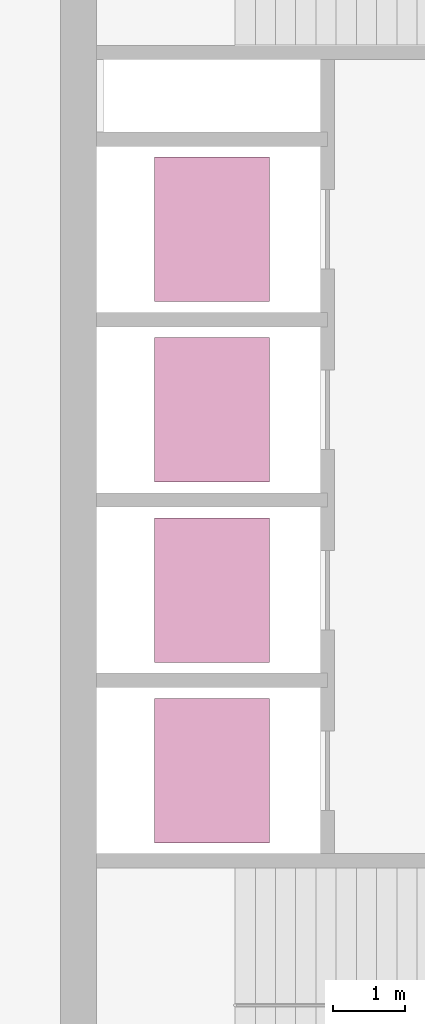
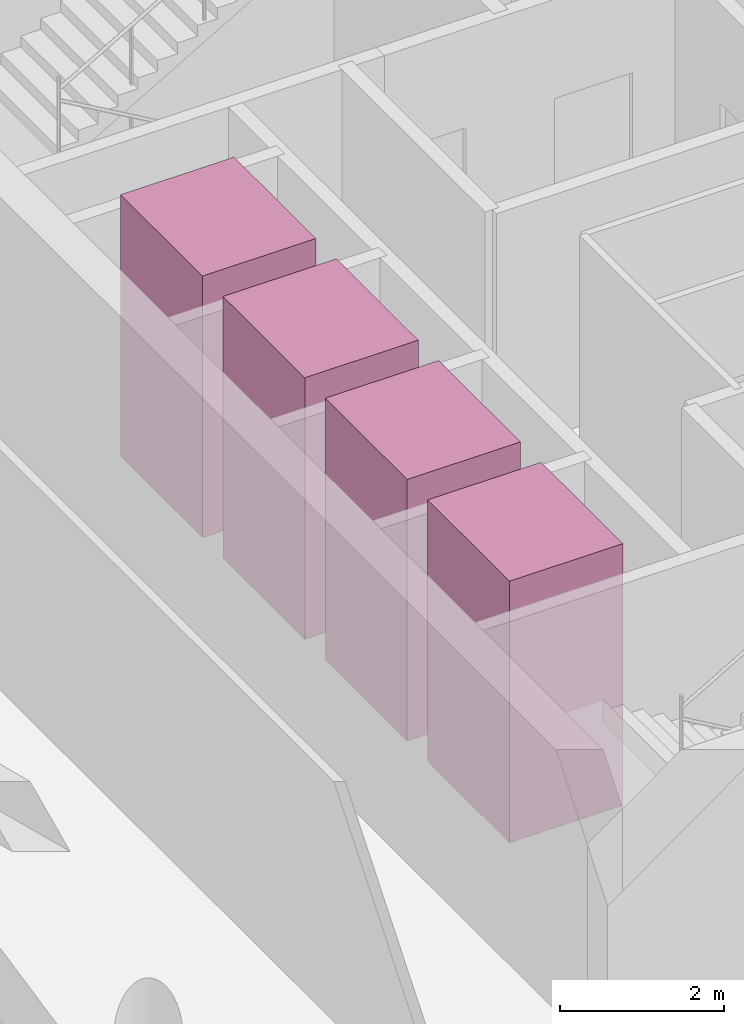
# One storey, part 8 of 8: 4 transport elements.
"""IFC4 building model written with IfcOpenShell, lengths in metres."""

from ifc_helpers import new_model, si_unit, direction, frame, origin, origin_2d, place, context, subcontext, project, spatial, rectangle, extrude, material, type_object, element, save


model = new_model("IFC4")

# Units and contexts
model_context = context("Model", 3, precision=1e-05, world=origin(), true_north=direction((0.0, 1.0)))
body_context = subcontext(model_context, "Body", "Model", "MODEL_VIEW")
ifc_project = project(units=[si_unit("LENGTHUNIT", "METRE"), si_unit("AREAUNIT", "SQUARE_METRE"), si_unit("VOLUMEUNIT", "CUBIC_METRE"), si_unit("PLANEANGLEUNIT", "RADIAN"), si_unit("MASSUNIT", "GRAM", prefix="KILO")], contexts=[model_context])

# Site, building, storey
site_placement = place(None, origin())
site = spatial("IfcSite", under=ifc_project, at=site_placement, CompositionType="ELEMENT")
building_placement = place(site_placement, origin())
building = spatial("IfcBuilding", under=site, at=building_placement, Name="Qaws Garden Tower", CompositionType="ELEMENT")
storey_placement = place(building_placement, frame((0.0, 0.0, 333.300048828125)))
storey = spatial("IfcBuildingStorey", under=building, at=storey_placement, Name="L81", CompositionType="ELEMENT", Elevation=333.300048828125)

# Transport elements
ifc_material = material(Name="Stainless steel 316", Category="steel")
transport_element_type = type_object("IfcTransportElementType", Name="Passenger lift car 2000x1600 1800 kg", PredefinedType="ELEVATOR", material=ifc_material)
for number, where, z_axis, x_axis, name in (
    (1, (10.10009765625, 13.64990234375, 0.0), (0.0, 0.0, 1.0), (1.0, 0.0, 0.0), "HR1"),
    (2, (10.10009765625, 16.14990234375, 0.0), (0.0, 0.0, 1.0), (1.0, 0.0, 0.0), "HR2"),
    (3, (10.10009765625, 18.64990234375, 0.0), (0.0, 0.0, 1.0), (1.0, 0.0, 0.0), "HR3"),
    (4, (10.10009765625, 21.14990234375, 0.0), (0.0, 0.0, 1.0), (1.0, 0.0, 0.0), "HR4"),
):
    element("IfcTransportElement", number, at=place(storey_placement, frame(where, z_axis=z_axis, x_axis=x_axis)), inside=storey, type_object=transport_element_type, Name=name, PredefinedType="ELEVATOR", context=body_context, shape_type="SweptSolid", body=[
        extrude(rectangle(XDim=1.60009765625, YDim=2.0, at=origin_2d()), origin(), (0.0, 0.0, 1.0), 3.89990234375),
    ])

save(model, "model.ifc")
